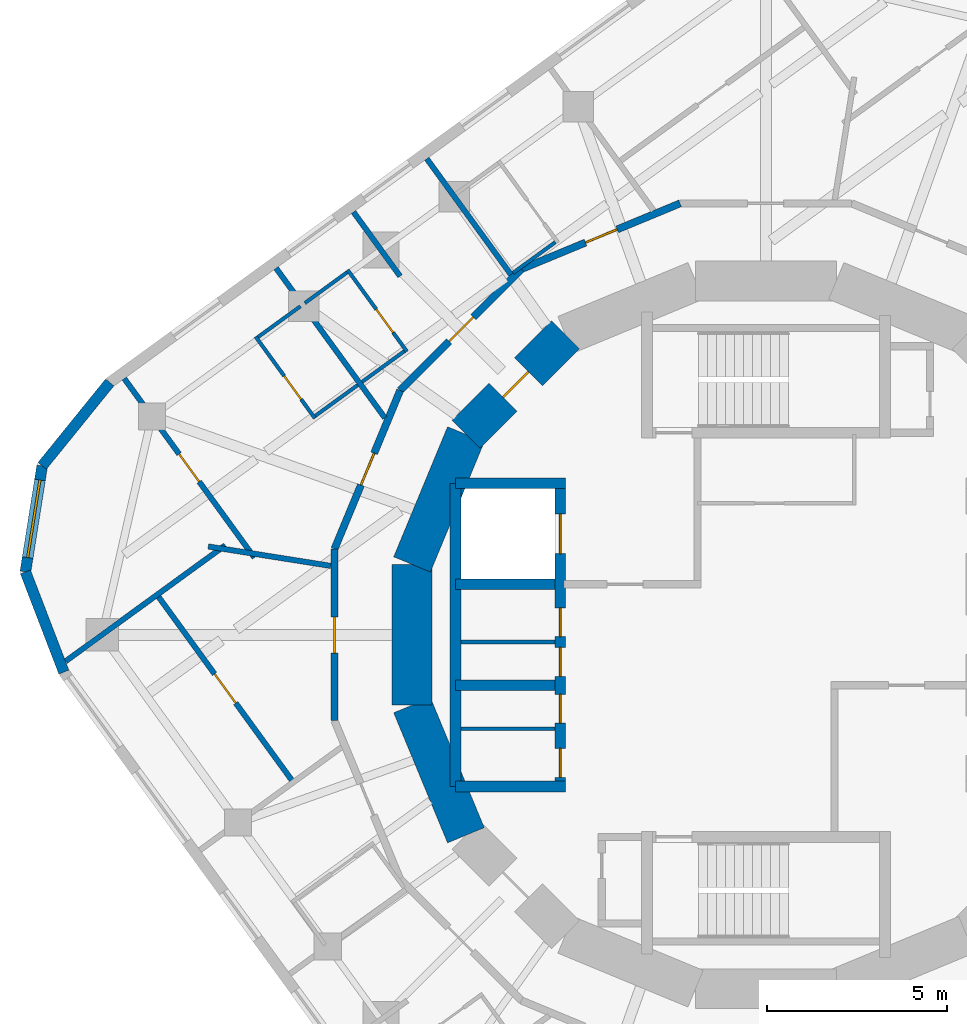
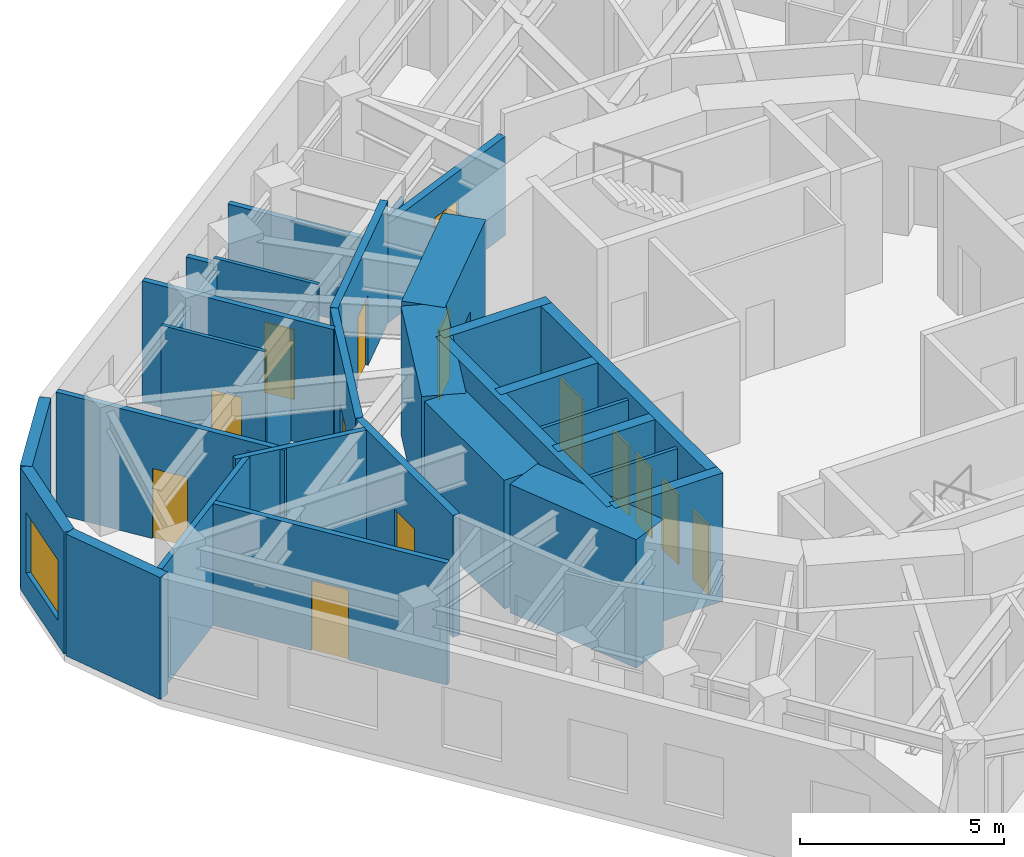
# One storey, part 5 of 9: 33 walls, 14 doors, 1 window, 15 openings.
"""IFC4 building model written with IfcOpenShell, lengths in metres."""

import ifcopenshell
import ifcopenshell.guid

model = None  # the IFC model being written
_history = None  # IfcOwnerHistory: only IFC2X3 demands one
_inside = {}  # id of a spatial element -> (the spatial element, [elements in it])
_under = {}  # id of a project, library or spatial element -> (it, [spatial elements below it])
_declared = {}  # id of a project -> (the project, [libraries it declares])
_typed = {}  # id of a type object -> (the type object, [elements of that type])
_made_of = {}  # id of a material, layer set ... -> (it, [elements and type objects made of it])


def new_model(schema):
    """Start an empty IFC model of exactly this schema.

    Asked for "IFC4X3", IfcOpenShell would pick the latest addendum, in which some entities
    have other attributes; the version numbers below select the first issue.
    IFC2X3 requires an IfcOwnerHistory on every rooted entity: one is made here for all.
    """
    global model, _history
    if schema == "IFC4X3":
        model = ifcopenshell.file(schema_version=(4, 3, 0, 0))
    else:
        model = ifcopenshell.file(schema=schema)
    _inside.clear()
    _under.clear()
    _declared.clear()
    _typed.clear()
    _made_of.clear()
    _history = None
    if model.schema == "IFC2X3":
        org = make("IfcOrganization", Name="unknown")
        user = make(
            "IfcPersonAndOrganization",
            ThePerson=make("IfcPerson", FamilyName="unknown"),
            TheOrganization=org,
        )
        app = make(
            "IfcApplication",
            ApplicationDeveloper=org,
            Version="unknown",
            ApplicationFullName="unknown",
            ApplicationIdentifier="unknown",
        )
        _history = make(
            "IfcOwnerHistory",
            OwningUser=user,
            OwningApplication=app,
            ChangeAction="ADDED",
            CreationDate=0,
        )
    return model


def make(cls, **values):
    """One entity of the class cls with the attributes given. An attribute that is None is left unset."""
    return model.create_entity(
        cls, **{name: value for name, value in values.items() if value is not None}
    )


def rooted(cls, **values):
    """An entity with a GlobalId (a new one), such as an element, a storey or a relation."""
    return make(cls, GlobalId=ifcopenshell.guid.new(), OwnerHistory=_history, **values)


def si_unit(unit_type, name, prefix=None):
    """IfcSIUnit, for example si_unit("LENGTHUNIT", "METRE", prefix="MILLI")."""
    return make("IfcSIUnit", UnitType=unit_type, Prefix=prefix, Name=name)


def assignment(units):
    """IfcUnitAssignment: the units of a project."""
    return None if units is None else make("IfcUnitAssignment", Units=units)


def point(xyz):
    """IfcCartesianPoint."""
    return None if xyz is None else make("IfcCartesianPoint", Coordinates=xyz)


def direction(xyz):
    """IfcDirection."""
    return None if xyz is None else make("IfcDirection", DirectionRatios=xyz)


def frame(location, z_axis=None, x_axis=None):
    """IfcAxis2Placement3D, a coordinate frame: its origin and axes. An axis left out is left unset."""
    return make(
        "IfcAxis2Placement3D",
        Location=point(location),
        Axis=direction(z_axis),
        RefDirection=direction(x_axis),
    )


def frame_2d(location, x_axis=None):
    """IfcAxis2Placement2D, a coordinate frame in the plane: its origin and x axis."""
    return make(
        "IfcAxis2Placement2D", Location=point(location), RefDirection=direction(x_axis)
    )


def origin():
    """The frame at (0, 0, 0) with its axes left unset."""
    return frame((0.0, 0.0, 0.0))


def place(relative_to, where):
    """IfcLocalPlacement: puts the frame where relative to a parent placement (None: the world)."""
    return make(
        "IfcLocalPlacement", PlacementRelTo=relative_to, RelativePlacement=where
    )


def context(
    kind, dimensions, precision=None, world=None, true_north=None, identifier=None
):
    """IfcGeometricRepresentationContext, for example the 3D "Model" context."""
    return make(
        "IfcGeometricRepresentationContext",
        ContextIdentifier=identifier,
        ContextType=kind,
        CoordinateSpaceDimension=dimensions,
        Precision=precision,
        WorldCoordinateSystem=world,
        TrueNorth=true_north,
    )


def subcontext(parent, identifier, kind, view, scale=None):
    """IfcGeometricRepresentationSubContext, for example "Body" below "Model"."""
    return make(
        "IfcGeometricRepresentationSubContext",
        ContextIdentifier=identifier,
        ContextType=kind,
        ParentContext=parent,
        TargetScale=scale,
        TargetView=view,
    )


def project(units=None, contexts=None):
    """IfcProject with its units and contexts."""
    return rooted(
        "IfcProject",
        Name="project",
        RepresentationContexts=contexts,
        UnitsInContext=assignment(units),
    )


def spatial(cls, under=None, at=None, **own):
    """A site, building, storey or space (cls), placed at a placement, below another one or the project."""
    s = rooted(cls, ObjectPlacement=at, **own)
    if under is not None:
        _under.setdefault(under.id(), (under, []))[1].append(s)
    return s


def profile(cls, at=None, kind="AREA", **sizes):
    """A parametric profile (cls). Its sizes go by their IFC names, for example OverallWidth=200.0."""
    return make(cls, ProfileType=kind, Position=at, **sizes)


def rectangle(**sizes):
    """IfcRectangleProfileDef."""
    return profile("IfcRectangleProfileDef", **sizes)


def extrude(swept, where, along, depth):
    """IfcExtrudedAreaSolid: the profile swept, set in the frame where, extruded along a direction by depth."""
    return make(
        "IfcExtrudedAreaSolid",
        SweptArea=swept,
        Position=where,
        ExtrudedDirection=direction(along),
        Depth=depth,
    )


def shape(context_of_items, identifier, shape_type, items):
    """IfcShapeRepresentation: the items that make up one representation, for example the "Body"."""
    return make(
        "IfcShapeRepresentation",
        ContextOfItems=context_of_items,
        RepresentationIdentifier=identifier,
        RepresentationType=shape_type,
        Items=items,
    )


def material(Name=None, Category=None):
    """IfcMaterial."""
    return make("IfcMaterial", Name=Name, Category=Category)


def layer(
    of_material, thickness, ventilated=None, Name=None, Category=None, Priority=None
):
    """IfcMaterialLayer: one layer of a wall or slab, of a material (None: an air gap)."""
    return make(
        "IfcMaterialLayer",
        Material=of_material,
        LayerThickness=thickness,
        IsVentilated=ventilated,
        Name=Name,
        Category=Category,
        Priority=Priority,
    )


def layer_set(layers, Name=None):
    """IfcMaterialLayerSet."""
    return make("IfcMaterialLayerSet", MaterialLayers=layers, LayerSetName=Name)


def made_of(thing, what):
    """Note that an element or type object is made of a material, layer set ...; save() writes the relation."""
    if what is not None:
        _made_of.setdefault(what.id(), (what, []))[1].append(thing)
    return thing


def type_object(cls, material=None, **own):
    """A type object (cls), such as IfcWallType, which elements share."""
    return made_of(rooted(cls, **own), material)


def element(
    cls,
    number,
    at=None,
    inside=None,
    cuts=None,
    type_object=None,
    material=None,
    context=None,
    identifier="Body",
    shape_type=None,
    held_by="IfcProductDefinitionShape",
    body=None,
    shapes=None,
    **own,
):
    """One element of the class cls, such as IfcWall. Its Tag is "e" and its number.

    at: its placement. inside: the storey or other place that contains it. cuts: it is an
    opening in that element (IfcRelVoidsElement). A single representation is given by context,
    identifier, shape_type and body (its items); several are given by shapes. held_by: the class
    of the entity that holds the representations. save() writes the other relations.
    """
    e = rooted(cls, Tag="e%d" % number, ObjectPlacement=at, **own)
    if body is not None:
        shapes = [shape(context, identifier, shape_type, body)]
    if shapes is not None:
        e.Representation = make(held_by, Representations=shapes)
    if inside is not None:
        _inside.setdefault(inside.id(), (inside, []))[1].append(e)
    if cuts is not None:
        rooted(
            "IfcRelVoidsElement", RelatingBuildingElement=cuts, RelatedOpeningElement=e
        )
    if type_object is not None:
        _typed.setdefault(type_object.id(), (type_object, []))[1].append(e)
    return made_of(e, material)


def fill(opening, filler):
    """IfcRelFillsElement: the door or window that sits in an opening."""
    return rooted(
        "IfcRelFillsElement",
        RelatingOpeningElement=opening,
        RelatedBuildingElement=filler,
    )


def aggregate(whole, parts):
    """IfcRelAggregates: a whole, such as a stair, and the parts it consists of."""
    return rooted("IfcRelAggregates", RelatingObject=whole, RelatedObjects=parts)


def save(model, path):
    """Write the relations noted so far, then the file.

    IfcRelAggregates (storeys below a building ...), IfcRelContainedInSpatialStructure (elements
    in a storey), IfcRelDefinesByType, IfcRelAssociatesMaterial and IfcRelDeclares: one each for
    every whole, place, type object, material and project.
    """
    for whole, parts in _under.values():
        aggregate(whole, parts)
    for where, things in _inside.values():
        rooted(
            "IfcRelContainedInSpatialStructure",
            RelatedElements=things,
            RelatingStructure=where,
        )
    for kind, things in _typed.values():
        rooted("IfcRelDefinesByType", RelatedObjects=things, RelatingType=kind)
    for what, things in _made_of.values():
        rooted("IfcRelAssociatesMaterial", RelatedObjects=things, RelatingMaterial=what)
    for by, libraries in _declared.values():
        rooted("IfcRelDeclares", RelatingContext=by, RelatedDefinitions=libraries)
    model.write(path)


model = new_model("IFC4")

# Units and contexts
model_context = context("Model", 3, precision=1e-05, world=origin(), true_north=direction((0.0, 1.0)))
body_context = subcontext(model_context, "Body", "Model", "MODEL_VIEW")
ifc_project = project(units=[si_unit("LENGTHUNIT", "METRE"), si_unit("AREAUNIT", "SQUARE_METRE"), si_unit("VOLUMEUNIT", "CUBIC_METRE"), si_unit("PLANEANGLEUNIT", "RADIAN"), si_unit("MASSUNIT", "GRAM", prefix="KILO")], contexts=[model_context])

# Site, building, storey
site_placement = place(None, origin())
site = spatial("IfcSite", under=ifc_project, at=site_placement, CompositionType="ELEMENT")
building_placement = place(site_placement, origin())
building = spatial("IfcBuilding", under=site, at=building_placement, Name="Nakasero Lantern House", CompositionType="ELEMENT")
storey_placement = place(building_placement, frame((0.0, 0.0, 294.550048828125)))
storey = spatial("IfcBuildingStorey", under=building, at=storey_placement, Name="L72", CompositionType="ELEMENT", Elevation=294.550048828125)

# Wall, openings, doors
ifc_material_1 = material(Name="Concrete C50/60", Category="concrete")
ifc_layer_1 = layer(ifc_material_1, 0.300048828125)
ifc_layer_set_1 = layer_set([ifc_layer_1], Name="Core inner wall 300")
wall_type_1 = type_object("IfcWallType", Name="Core inner wall 300", PredefinedType="SHEAR", material=ifc_layer_set_1)
wall_1_placement = place(storey_placement, frame((-5.699951171875, -4.199951171875, 0.0), z_axis=(0.0, 0.0, 1.0), x_axis=(0.0, 1.0, 0.0)))
wall_1 = element("IfcWall", 1, at=wall_1_placement, inside=storey, type_object=wall_type_1, Name="Core inner wall L72 LW", PredefinedType="SHEAR", context=body_context, shape_type="SweptSolid", body=[
    extrude(rectangle(XDim=8.39990234375, YDim=0.300048828125, at=frame_2d((4.199951171875, 0.0))), origin(), (0.0, 0.0, 1.0), 3.849853515625),
])
opening_1_placement = place(wall_1_placement, frame((0.25, 0.0, 0.0)))
opening_1 = element("IfcOpeningElement", 2, at=opening_1_placement, cuts=wall_1, Name="Opening D19", PredefinedType="OPENING", context=body_context, shape_type="SweptSolid", body=[
    extrude(rectangle(XDim=0.800048828125, YDim=2.10009765625, at=frame_2d((0.39990234375, 1.050048828125))), frame((0.0, 0.169921875, 0.0), z_axis=(0.0, -1.0, 0.0), x_axis=(1.0, 0.0, 0.0)), (0.0, 0.0, 1.0), 0.340087890625),
])
opening_2_placement = place(wall_1_placement, frame((1.75, 0.0, 0.0)))
opening_2 = element("IfcOpeningElement", 3, at=opening_2_placement, cuts=wall_1, Name="Opening D15", PredefinedType="OPENING", context=body_context, shape_type="SweptSolid", body=[
    extrude(rectangle(XDim=0.800048828125, YDim=2.10009765625, at=frame_2d((0.39990234375, 1.050048828125))), frame((0.0, 0.169921875, 0.0), z_axis=(0.0, -1.0, 0.0), x_axis=(1.0, 0.0, 0.0)), (0.0, 0.0, 1.0), 0.340087890625),
])
opening_3_placement = place(wall_1_placement, frame((3.050048828125, 0.0, 0.0)))
opening_3 = element("IfcOpeningElement", 4, at=opening_3_placement, cuts=wall_1, Name="Opening D15", PredefinedType="OPENING", context=body_context, shape_type="SweptSolid", body=[
    extrude(rectangle(XDim=0.800048828125, YDim=2.10009765625, at=frame_2d((0.39990234375, 1.050048828125))), frame((0.0, 0.169921875, 0.0), z_axis=(0.0, -1.0, 0.0), x_axis=(1.0, 0.0, 0.0)), (0.0, 0.0, 1.0), 0.340087890625),
])
opening_4_placement = place(wall_1_placement, frame((4.14990234375, 0.0, 0.0)))
opening_4 = element("IfcOpeningElement", 5, at=opening_4_placement, cuts=wall_1, Name="Opening D15", PredefinedType="OPENING", context=body_context, shape_type="SweptSolid", body=[
    extrude(rectangle(XDim=0.800048828125, YDim=2.10009765625, at=frame_2d((0.39990234375, 1.050048828125))), frame((0.0, 0.169921875, 0.0), z_axis=(0.0, -1.0, 0.0), x_axis=(1.0, 0.0, 0.0)), (0.0, 0.0, 1.0), 0.340087890625),
])
opening_5_placement = place(wall_1_placement, frame((6.449951171875, 0.0, 0.0)))
opening_5 = element("IfcOpeningElement", 6, at=opening_5_placement, cuts=wall_1, Name="Opening LD", PredefinedType="OPENING", context=body_context, shape_type="SweptSolid", body=[
    extrude(rectangle(XDim=1.10009765625, YDim=2.10009765625, at=frame_2d((0.550048828125, 1.050048828125))), frame((0.0, 0.169921875, 0.0), z_axis=(0.0, -1.0, 0.0), x_axis=(1.0, 0.0, 0.0)), (0.0, 0.0, 1.0), 0.340087890625),
])
ifc_material_2 = material(Name="Timber C24", Category="wood")
door_type_1 = type_object("IfcDoorType", Name="Cleaner's store door FD30S 800", OperationType="SINGLE_SWING_LEFT", PredefinedType="DOOR", material=ifc_material_2)
door_1_placement = place(opening_2_placement, origin())
door_1 = element("IfcDoor", 7, at=door_1_placement, inside=storey, type_object=door_type_1, Name="Door L72 D-SH-LW1b", OperationType="SINGLE_SWING_LEFT", OverallHeight=2.10009765625, OverallWidth=0.800048828125, PredefinedType="DOOR", context=body_context, shape_type="SweptSolid", body=[
    extrude(rectangle(XDim=0.800048828125, YDim=2.10009765625, at=frame_2d((0.39990234375, 1.050048828125))), frame((0.0, 0.02490234375, 0.0), z_axis=(0.0, -1.0, 0.0), x_axis=(1.0, 0.0, 0.0)), (0.0, 0.0, 1.0), 0.050048828125),
])
fill(opening_2, door_1)
door_2_placement = place(opening_3_placement, origin())
door_2 = element("IfcDoor", 8, at=door_2_placement, inside=storey, type_object=door_type_1, Name="Door L72 D-SH-LW2a", OperationType="SINGLE_SWING_LEFT", OverallHeight=2.10009765625, OverallWidth=0.800048828125, PredefinedType="DOOR", context=body_context, shape_type="SweptSolid", body=[
    extrude(rectangle(XDim=0.800048828125, YDim=2.10009765625, at=frame_2d((0.39990234375, 1.050048828125))), frame((0.0, 0.02490234375, 0.0), z_axis=(0.0, -1.0, 0.0), x_axis=(1.0, 0.0, 0.0)), (0.0, 0.0, 1.0), 0.050048828125),
])
fill(opening_3, door_2)
door_3_placement = place(opening_4_placement, origin())
door_3 = element("IfcDoor", 9, at=door_3_placement, inside=storey, type_object=door_type_1, Name="Door L72 D-SH-LW2b", OperationType="SINGLE_SWING_RIGHT", OverallHeight=2.10009765625, OverallWidth=0.800048828125, PredefinedType="DOOR", context=body_context, shape_type="SweptSolid", body=[
    extrude(rectangle(XDim=0.800048828125, YDim=2.10009765625, at=frame_2d((0.39990234375, 1.050048828125))), frame((0.0, 0.02490234375, 0.0), z_axis=(0.0, -1.0, 0.0), x_axis=(1.0, 0.0, 0.0)), (0.0, 0.0, 1.0), 0.050048828125),
])
fill(opening_4, door_3)
ifc_material_3 = material(Name="Steel S355", Category="steel")
door_type_2 = type_object("IfcDoorType", Name="Lift landing door E120 1100", OperationType="SLIDING_TO_LEFT", PredefinedType="DOOR", material=ifc_material_3)
door_4_placement = place(opening_5_placement, origin())
door_4 = element("IfcDoor", 10, at=door_4_placement, inside=storey, type_object=door_type_2, Name="Lift landing door LW3", OperationType="SLIDING_TO_LEFT", OverallHeight=2.10009765625, OverallWidth=1.10009765625, PredefinedType="DOOR", context=body_context, shape_type="SweptSolid", body=[
    extrude(rectangle(XDim=1.10009765625, YDim=2.10009765625, at=frame_2d((0.550048828125, 1.050048828125))), frame((0.0, 0.02490234375, 0.0), z_axis=(0.0, -1.0, 0.0), x_axis=(1.0, 0.0, 0.0)), (0.0, 0.0, 1.0), 0.050048828125),
])
fill(opening_5, door_4)
ifc_material_4 = material(Name="Steel S355", Category="steel")
door_type_3 = type_object("IfcDoorType", Name="Plant room door FD60 800", OperationType="SINGLE_SWING_LEFT", PredefinedType="DOOR", material=ifc_material_4)
door_5_placement = place(opening_1_placement, origin())
door_5 = element("IfcDoor", 11, at=door_5_placement, inside=storey, type_object=door_type_3, Name="Door L72 D-SH-LW1a", OperationType="SINGLE_SWING_LEFT", OverallHeight=2.10009765625, OverallWidth=0.800048828125, PredefinedType="DOOR", context=body_context, shape_type="SweptSolid", body=[
    extrude(rectangle(XDim=0.800048828125, YDim=2.10009765625, at=frame_2d((0.39990234375, 1.050048828125))), frame((0.0, 0.02490234375, 0.0), z_axis=(0.0, -1.0, 0.0), x_axis=(1.0, 0.0, 0.0)), (0.0, 0.0, 1.0), 0.050048828125),
])
fill(opening_1, door_5)

# Walls
for number, where, z_axis, x_axis, name in (
    (12, (-8.60009765625, 4.199951171875, 0.0), (0.0, 0.0, 1.0), (1.0, 0.0, 0.0), "Core inner wall L72 LWN"),
    (13, (-8.60009765625, -4.199951171875, 0.0), (0.0, 0.0, 1.0), (1.0, 0.0, 0.0), "Core inner wall L72 LWS"),
):
    element("IfcWall", number, at=place(storey_placement, frame(where, z_axis=z_axis, x_axis=x_axis)), inside=storey, type_object=wall_type_1, Name=name, PredefinedType="SHEAR", context=body_context, shape_type="SweptSolid", body=[
        extrude(rectangle(XDim=3.050048828125, YDim=0.300048828125, at=frame_2d((1.52490234375, 0.0))), origin(), (0.0, 0.0, 1.0), 3.849853515625),
    ])
wall_2_placement = place(storey_placement, frame((-8.60009765625, -4.199951171875, 0.0), z_axis=(0.0, 0.0, 1.0), x_axis=(0.0, 1.0, 0.0)))
element("IfcWall", 14, at=wall_2_placement, inside=storey, type_object=wall_type_1, Name="Core inner wall L72 LWB", PredefinedType="SHEAR", context=body_context, shape_type="SweptSolid", body=[
    extrude(rectangle(XDim=8.39990234375, YDim=0.300048828125, at=frame_2d((4.199951171875, 0.0))), origin(), (0.0, 0.0, 1.0), 3.849853515625),
])
for number, where, z_axis, x_axis, name in (
    (15, (-8.60009765625, -1.39990234375, 0.0), (0.0, 0.0, 1.0), (1.0, 0.0, 0.0), "Core inner wall L72 LW1"),
    (16, (-8.60009765625, 1.39990234375, 0.0), (0.0, 0.0, 1.0), (1.0, 0.0, 0.0), "Core inner wall L72 LW2"),
):
    element("IfcWall", number, at=place(storey_placement, frame(where, z_axis=z_axis, x_axis=x_axis)), inside=storey, type_object=wall_type_1, Name=name, PredefinedType="SHEAR", context=body_context, shape_type="SweptSolid", body=[
        extrude(rectangle(XDim=2.75, YDim=0.300048828125, at=frame_2d((1.375, 0.0))), origin(), (0.0, 0.0, 1.0), 3.849853515625),
    ])
ifc_material_5 = material(Name="Blockwork", Category="masonry")
ifc_layer_2 = layer(ifc_material_5, 0.10009765625)
ifc_layer_set_2 = layer_set([ifc_layer_2], Name="Core room wall 100")
wall_type_2 = type_object("IfcWallType", Name="Core room wall 100", PredefinedType="PARTITIONING", material=ifc_layer_set_2)
for number, where, z_axis, x_axis, name in (
    (17, (-8.449951171875, -2.60009765625, 0.0), (0.0, 0.0, 1.0), (1.0, 0.0, 0.0), "Core room wall L72 CR-SH-LW1b"),
    (18, (-8.449951171875, -0.199951171875, 0.0), (0.0, 0.0, 1.0), (1.0, 0.0, 0.0), "Core room wall L72 CR-SH-LW2b"),
):
    element("IfcWall", number, at=place(storey_placement, frame(where, z_axis=z_axis, x_axis=x_axis)), inside=storey, type_object=wall_type_2, Name=name, PredefinedType="PARTITIONING", context=body_context, shape_type="SweptSolid", body=[
        extrude(rectangle(XDim=2.599853515625, YDim=0.10009765625, at=frame_2d((1.2998046875, 0.0))), origin(), (0.0, 0.0, 1.0), 3.64990234375),
    ])

# Wall, opening, door
ifc_material_6 = material(Name="Concrete C50/60", Category="concrete")
ifc_layer_3 = layer(ifc_material_6, 1.10009765625)
ifc_layer_set_3 = layer_set([ifc_layer_3], Name="Core wall 1100")
wall_type_3 = type_object("IfcWallType", Name="Core wall 1100", PredefinedType="SHEAR", material=ifc_layer_set_3)
wall_3_placement = place(storey_placement, frame((-5.5556640625, 8.314697265625, 0.0), z_axis=(0.0, 0.0, 1.0), x_axis=(-0.707106781187, -0.707106781187, 0.0)))
wall_3 = element("IfcWall", 19, at=wall_3_placement, inside=storey, type_object=wall_type_3, Name="Core wall L72 facet 6", PredefinedType="SHEAR", context=body_context, shape_type="SweptSolid", body=[
    extrude(rectangle(XDim=3.90185546875, YDim=1.10009765625, at=frame_2d((1.950927734375, 0.0))), origin(), (0.0, 0.0, 1.0), 3.849853515625),
])
opening_6_placement = place(wall_3_placement, frame((1.450927734375, 0.0, 0.0)))
opening_6 = element("IfcOpeningElement", 20, at=opening_6_placement, cuts=wall_3, Name="Opening D05", PredefinedType="OPENING", context=body_context, shape_type="SweptSolid", body=[
    extrude(rectangle(XDim=1.0, YDim=2.10009765625, at=frame_2d((0.5, 1.050048828125))), frame((0.0, 0.570068359375, 0.0), z_axis=(0.0, -1.0, 0.0), x_axis=(1.0, 0.0, 0.0)), (0.0, 0.0, 1.0), 1.14013671875),
])
ifc_material_7 = material(Name="Timber C24", Category="wood")
door_type_4 = type_object("IfcDoorType", Name="Core door FD60S 1000", OperationType="SINGLE_SWING_LEFT", PredefinedType="DOOR", material=ifc_material_7)
door_6_placement = place(opening_6_placement, origin())
door_6 = element("IfcDoor", 21, at=door_6_placement, inside=storey, type_object=door_type_4, Name="Door L72 D-CORE06", OperationType="SINGLE_SWING_LEFT", OverallHeight=2.10009765625, OverallWidth=1.0, PredefinedType="DOOR", context=body_context, shape_type="SweptSolid", body=[
    extrude(rectangle(XDim=1.0, YDim=2.10009765625, at=frame_2d((0.5, 1.050048828125))), frame((0.0, 0.02490234375, 0.0), z_axis=(0.0, -1.0, 0.0), x_axis=(1.0, 0.0, 0.0)), (0.0, 0.0, 1.0), 0.050048828125),
])
fill(opening_6, door_6)

# Walls
for number, where, z_axis, x_axis, name in (
    (22, (-8.314697265625, 5.5556640625, 0.0), (0.0, 0.0, 1.0), (-0.382690736062, -0.923876507187, 0.0), "Core wall L72 facet 7"),
    (23, (-9.807861328125, 1.950927734375, 0.0), (0.0, 0.0, 1.0), (0.0, -1.0, 0.0), "Core wall L72 facet 8"),
    (24, (-9.807861328125, -1.950927734375, 0.0), (0.0, 0.0, 1.0), (0.382690736062, -0.923876507187, 0.0), "Core wall L72 facet 9"),
):
    element("IfcWall", number, at=place(storey_placement, frame(where, z_axis=z_axis, x_axis=x_axis)), inside=storey, type_object=wall_type_3, Name=name, PredefinedType="SHEAR", context=body_context, shape_type="SweptSolid", body=[
        extrude(rectangle(XDim=3.90185546875, YDim=1.10009765625, at=frame_2d((1.950927734375, 0.0))), origin(), (0.0, 0.0, 1.0), 3.849853515625),
    ])

# Wall, opening, door
ifc_material_8 = material(Name="Blockwork", Category="masonry")
ifc_layer_4 = layer(ifc_material_8, 0.199951171875)
ifc_layer_set_4 = layer_set([ifc_layer_4], Name="Corridor wall 200")
wall_type_4 = type_object("IfcWallType", Name="Corridor wall 200", PredefinedType="PARTITIONING", material=ifc_layer_set_4)
wall_4_placement = place(storey_placement, frame((-11.957763671875, -2.378662109375, 0.0), z_axis=(0.0, 0.0, 1.0), x_axis=(0.0, 1.0, 0.0)))
wall_4 = element("IfcWall", 25, at=wall_4_placement, inside=storey, type_object=wall_type_4, Name="Corridor wall L72 RC08a", PredefinedType="PARTITIONING", context=body_context, shape_type="SweptSolid", body=[
    extrude(rectangle(XDim=4.75732421875, YDim=0.199951171875, at=frame_2d((2.378662109375, 0.0))), origin(), (0.0, 0.0, 1.0), 3.64990234375),
])
opening_7_placement = place(wall_4_placement, frame((1.8701171875, 0.0, 0.0)))
opening_7 = element("IfcOpeningElement", 26, at=opening_7_placement, cuts=wall_4, Name="Opening D03", PredefinedType="OPENING", context=body_context, shape_type="SweptSolid", body=[
    extrude(rectangle(XDim=1.0, YDim=2.10009765625, at=frame_2d((0.5, 1.050048828125))), frame((0.0, 0.119873046875, 0.0), z_axis=(0.0, -1.0, 0.0), x_axis=(1.0, 0.0, 0.0)), (0.0, 0.0, 1.0), 0.239990234375),
])
ifc_material_9 = material(Name="Timber C24", Category="wood")
door_type_5 = type_object("IfcDoorType", Name="Lounge door FD30S 1000", OperationType="SINGLE_SWING_LEFT", PredefinedType="DOOR", material=ifc_material_9)
door_7_placement = place(opening_7_placement, origin())
door_7 = element("IfcDoor", 27, at=door_7_placement, inside=storey, type_object=door_type_5, Name="Door L72 DK2", OperationType="SINGLE_SWING_LEFT", OverallHeight=2.10009765625, OverallWidth=1.0, PredefinedType="DOOR", context=body_context, shape_type="SweptSolid", body=[
    extrude(rectangle(XDim=1.0, YDim=2.10009765625, at=frame_2d((0.5, 1.050048828125))), frame((0.0, 0.02490234375, 0.0), z_axis=(0.0, -1.0, 0.0), x_axis=(1.0, 0.0, 0.0)), (0.0, 0.0, 1.0), 0.050048828125),
])
fill(opening_7, door_7)

wall_5_placement = place(storey_placement, frame((-11.957763671875, 2.378662109375, 0.0), z_axis=(0.0, 0.0, 1.0), x_axis=(0.382653970627, 0.923891735412, 0.0)))
wall_5 = element("IfcWall", 28, at=wall_5_placement, inside=storey, type_object=wall_type_4, Name="Corridor wall L72 RC09a", PredefinedType="PARTITIONING", context=body_context, shape_type="SweptSolid", body=[
    extrude(rectangle(XDim=4.757080078125, YDim=0.199951171875, at=frame_2d((2.37841796875, 0.0))), origin(), (0.0, 0.0, 1.0), 3.64990234375),
])
opening_8_placement = place(wall_5_placement, frame((1.919921875, 0.0, 0.0)))
opening_8 = element("IfcOpeningElement", 29, at=opening_8_placement, cuts=wall_5, Name="Opening D01", PredefinedType="OPENING", context=body_context, shape_type="SweptSolid", body=[
    extrude(rectangle(XDim=0.949951171875, YDim=2.10009765625, at=frame_2d((0.47509765625, 1.050048828125))), frame((0.0, 0.119873046875, 0.0), z_axis=(0.0, -1.0, 0.0), x_axis=(1.0, 0.0, 0.0)), (0.0, 0.0, 1.0), 0.239990234375),
])
ifc_material_10 = material(Name="Timber C24", Category="wood")
door_type_6 = type_object("IfcDoorType", Name="Bedroom door FD30S 950", OperationType="SINGLE_SWING_LEFT", PredefinedType="DOOR", material=ifc_material_10)
door_8_placement = place(opening_8_placement, origin())
door_8 = element("IfcDoor", 30, at=door_8_placement, inside=storey, type_object=door_type_6, Name="Door L72 D1-06", OperationType="SINGLE_SWING_RIGHT", OverallHeight=2.10009765625, OverallWidth=0.949951171875, PredefinedType="DOOR", context=body_context, shape_type="SweptSolid", body=[
    extrude(rectangle(XDim=0.949951171875, YDim=2.10009765625, at=frame_2d((0.47509765625, 1.050048828125))), frame((0.0, 0.02490234375, 0.0), z_axis=(0.0, -1.0, 0.0), x_axis=(1.0, 0.0, 0.0)), (0.0, 0.0, 1.0), 0.050048828125),
])
fill(opening_8, door_8)

wall_6_placement = place(storey_placement, frame((-10.137451171875, 6.773681640625, 0.0), z_axis=(0.0, 0.0, 1.0), x_axis=(0.707106781187, 0.707106781187, 0.0)))
wall_6 = element("IfcWall", 31, at=wall_6_placement, inside=storey, type_object=wall_type_4, Name="Corridor wall L72 RC10a", PredefinedType="PARTITIONING", context=body_context, shape_type="SweptSolid", body=[
    extrude(rectangle(XDim=4.757080078125, YDim=0.199951171875, at=frame_2d((2.37841796875, 0.0))), origin(), (0.0, 0.0, 1.0), 3.64990234375),
])
opening_9_placement = place(wall_6_placement, frame((1.919921875, 0.0, 0.0)))
opening_9 = element("IfcOpeningElement", 32, at=opening_9_placement, cuts=wall_6, Name="Opening D01", PredefinedType="OPENING", context=body_context, shape_type="SweptSolid", body=[
    extrude(rectangle(XDim=0.949951171875, YDim=2.10009765625, at=frame_2d((0.47509765625, 1.050048828125))), frame((0.0, 0.119873046875, 0.0), z_axis=(0.0, -1.0, 0.0), x_axis=(1.0, 0.0, 0.0)), (0.0, 0.0, 1.0), 0.239990234375),
])
door_9_placement = place(opening_9_placement, origin())
door_9 = element("IfcDoor", 33, at=door_9_placement, inside=storey, type_object=door_type_6, Name="Door L72 D1-04", OperationType="SINGLE_SWING_RIGHT", OverallHeight=2.10009765625, OverallWidth=0.949951171875, PredefinedType="DOOR", context=body_context, shape_type="SweptSolid", body=[
    extrude(rectangle(XDim=0.949951171875, YDim=2.10009765625, at=frame_2d((0.47509765625, 1.050048828125))), frame((0.0, 0.02490234375, 0.0), z_axis=(0.0, -1.0, 0.0), x_axis=(1.0, 0.0, 0.0)), (0.0, 0.0, 1.0), 0.050048828125),
])
fill(opening_9, door_9)

wall_7_placement = place(storey_placement, frame((-6.773681640625, 10.137451171875, 0.0), z_axis=(0.0, 0.0, 1.0), x_axis=(0.923891735412, 0.382653970627, 0.0)))
wall_7 = element("IfcWall", 34, at=wall_7_placement, inside=storey, type_object=wall_type_4, Name="Corridor wall L72 RC11a", PredefinedType="PARTITIONING", context=body_context, shape_type="SweptSolid", body=[
    extrude(rectangle(XDim=4.757080078125, YDim=0.199951171875, at=frame_2d((2.37841796875, 0.0))), origin(), (0.0, 0.0, 1.0), 2.966552734375),
])
opening_10_placement = place(wall_7_placement, frame((1.919921875, 0.0, 0.0)))
opening_10 = element("IfcOpeningElement", 35, at=opening_10_placement, cuts=wall_7, Name="Opening D01", PredefinedType="OPENING", context=body_context, shape_type="SweptSolid", body=[
    extrude(rectangle(XDim=0.949951171875, YDim=2.10009765625, at=frame_2d((0.47509765625, 1.050048828125))), frame((0.0, 0.119873046875, 0.0), z_axis=(0.0, -1.0, 0.0), x_axis=(1.0, 0.0, 0.0)), (0.0, 0.0, 1.0), 0.239990234375),
])
door_10_placement = place(opening_10_placement, origin())
door_10 = element("IfcDoor", 36, at=door_10_placement, inside=storey, type_object=door_type_6, Name="Door L72 D1-03", OperationType="SINGLE_SWING_RIGHT", OverallHeight=2.10009765625, OverallWidth=0.949951171875, PredefinedType="DOOR", context=body_context, shape_type="SweptSolid", body=[
    extrude(rectangle(XDim=0.949951171875, YDim=2.10009765625, at=frame_2d((0.47509765625, 1.050048828125))), frame((0.0, 0.02490234375, 0.0), z_axis=(0.0, -1.0, 0.0), x_axis=(1.0, 0.0, 0.0)), (0.0, 0.0, 1.0), 0.050048828125),
])
fill(opening_10, door_10)

# Wall
ifc_material_11 = material(Name="Blockwork", Category="masonry")
ifc_layer_5 = layer(ifc_material_11, 0.10009765625)
ifc_layer_set_5 = layer_set([ifc_layer_5], Name="En-suite wall 100")
wall_type_5 = type_object("IfcWallType", Name="En-suite wall 100", PredefinedType="PARTITIONING", material=ifc_layer_set_5)
wall_8_placement = place(storey_placement, frame((-5.8349609375, 10.883544921875, 0.0), z_axis=(0.0, 0.0, 1.0), x_axis=(-0.809019944521, -0.587781191743, 0.0)))
element("IfcWall", 37, at=wall_8_placement, inside=storey, type_object=wall_type_5, Name="En-suite wall L72 EI1-03", PredefinedType="PARTITIONING", context=body_context, shape_type="SweptSolid", body=[
    extrude(rectangle(XDim=1.449951171875, YDim=0.10009765625, at=frame_2d((0.72509765625, 0.0))), origin(), (0.0, 0.0, 1.0), 2.966552734375),
])

# Wall, opening, door
wall_9_placement = place(storey_placement, frame((-9.949462890625, 7.851318359375, 0.0), z_axis=(0.0, 0.0, 1.0), x_axis=(-0.587793152327, 0.809011254605, 0.0)))
wall_9 = element("IfcWall", 38, at=wall_9_placement, inside=storey, type_object=wall_type_5, Name="En-suite wall L72 ES1-04", PredefinedType="PARTITIONING", context=body_context, shape_type="SweptSolid", body=[
    extrude(rectangle(XDim=2.7998046875, YDim=0.10009765625, at=frame_2d((1.39990234375, 0.0))), origin(), (0.0, 0.0, 1.0), 3.64990234375),
])
opening_11_placement = place(wall_9_placement, frame((0.64990234375, 0.0, 0.0)))
opening_11 = element("IfcOpeningElement", 39, at=opening_11_placement, cuts=wall_9, Name="Opening D02", PredefinedType="OPENING", context=body_context, shape_type="SweptSolid", body=[
    extrude(rectangle(XDim=0.800048828125, YDim=2.10009765625, at=frame_2d((0.39990234375, 1.050048828125))), frame((0.0, 0.070068359375, 0.0), z_axis=(0.0, -1.0, 0.0), x_axis=(1.0, 0.0, 0.0)), (0.0, 0.0, 1.0), 0.14013671875),
])
ifc_material_12 = material(Name="Timber C24", Category="wood")
door_type_7 = type_object("IfcDoorType", Name="En-suite door 800", OperationType="SINGLE_SWING_RIGHT", PredefinedType="DOOR", material=ifc_material_12)
door_11_placement = place(opening_11_placement, origin())
door_11 = element("IfcDoor", 40, at=door_11_placement, inside=storey, type_object=door_type_7, Name="Door L72 DE1-04", OperationType="SINGLE_SWING_LEFT", OverallHeight=2.10009765625, OverallWidth=0.800048828125, PredefinedType="DOOR", context=body_context, shape_type="SweptSolid", body=[
    extrude(rectangle(XDim=0.800048828125, YDim=2.10009765625, at=frame_2d((0.39990234375, 1.050048828125))), frame((0.0, 0.02490234375, 0.0), z_axis=(0.0, -1.0, 0.0), x_axis=(1.0, 0.0, 0.0)), (0.0, 0.0, 1.0), 0.050048828125),
])
fill(opening_11, door_11)

# Walls
wall_10_placement = place(storey_placement, frame((-11.6064453125, 10.046630859375, 0.0), z_axis=(0.0, 0.0, 1.0), x_axis=(-0.809019944521, -0.587781191743, 0.0)))
element("IfcWall", 41, at=wall_10_placement, inside=storey, type_object=wall_type_5, Name="En-suite wall L72 EE1-04", PredefinedType="PARTITIONING", context=body_context, shape_type="SweptSolid", body=[
    extrude(rectangle(XDim=1.449951171875, YDim=0.10009765625, at=frame_2d((0.72509765625, 0.0))), origin(), (0.0, 0.0, 1.0), 3.294921875),
])
wall_11_placement = place(storey_placement, frame((-10.019287109375, 7.8623046875, 0.0), z_axis=(0.0, 0.0, 1.0), x_axis=(-0.809019944521, -0.587781191743, 0.0)))
element("IfcWall", 42, at=wall_11_placement, inside=storey, type_object=wall_type_5, Name="En-suite wall L72 EI1-04", PredefinedType="PARTITIONING", context=body_context, shape_type="SweptSolid", body=[
    extrude(rectangle(XDim=1.449951171875, YDim=0.10009765625, at=frame_2d((0.72509765625, 0.0))), origin(), (0.0, 0.0, 1.0), 2.966552734375),
])

# Wall, opening, door
wall_12_placement = place(storey_placement, frame((-12.498046875, 5.999755859375, 0.0), z_axis=(0.0, 0.0, 1.0), x_axis=(-0.587793152327, 0.809011254605, 0.0)))
wall_12 = element("IfcWall", 43, at=wall_12_placement, inside=storey, type_object=wall_type_5, Name="En-suite wall L72 ES1-06", PredefinedType="PARTITIONING", context=body_context, shape_type="SweptSolid", body=[
    extrude(rectangle(XDim=2.7998046875, YDim=0.10009765625, at=frame_2d((1.39990234375, 0.0))), origin(), (0.0, 0.0, 1.0), 3.64990234375),
])
opening_12_placement = place(wall_12_placement, frame((0.64990234375, 0.0, 0.0)))
opening_12 = element("IfcOpeningElement", 44, at=opening_12_placement, cuts=wall_12, Name="Opening D02", PredefinedType="OPENING", context=body_context, shape_type="SweptSolid", body=[
    extrude(rectangle(XDim=0.800048828125, YDim=2.10009765625, at=frame_2d((0.39990234375, 1.050048828125))), frame((0.0, 0.070068359375, 0.0), z_axis=(0.0, -1.0, 0.0), x_axis=(1.0, 0.0, 0.0)), (0.0, 0.0, 1.0), 0.14013671875),
])
door_12_placement = place(opening_12_placement, origin())
door_12 = element("IfcDoor", 45, at=door_12_placement, inside=storey, type_object=door_type_7, Name="Door L72 DE1-06", OperationType="SINGLE_SWING_LEFT", OverallHeight=2.10009765625, OverallWidth=0.800048828125, PredefinedType="DOOR", context=body_context, shape_type="SweptSolid", body=[
    extrude(rectangle(XDim=0.800048828125, YDim=2.10009765625, at=frame_2d((0.39990234375, 1.050048828125))), frame((0.0, 0.02490234375, 0.0), z_axis=(0.0, -1.0, 0.0), x_axis=(1.0, 0.0, 0.0)), (0.0, 0.0, 1.0), 0.050048828125),
])
fill(opening_12, door_12)

# Walls
wall_13_placement = place(storey_placement, frame((-12.90087890625, 9.106201171875, 0.0), z_axis=(0.0, 0.0, 1.0), x_axis=(-0.809019944521, -0.587781191743, 0.0)))
element("IfcWall", 46, at=wall_13_placement, inside=storey, type_object=wall_type_5, Name="En-suite wall L72 EE1-06", PredefinedType="PARTITIONING", context=body_context, shape_type="SweptSolid", body=[
    extrude(rectangle(XDim=1.449951171875, YDim=0.10009765625, at=frame_2d((0.72509765625, 0.0))), origin(), (0.0, 0.0, 1.0), 3.24365234375),
])
wall_14_placement = place(storey_placement, frame((-11.313720703125, 6.921875, 0.0), z_axis=(0.0, 0.0, 1.0), x_axis=(-0.809019944521, -0.587781191743, 0.0)))
element("IfcWall", 47, at=wall_14_placement, inside=storey, type_object=wall_type_5, Name="En-suite wall L72 EI1-06", PredefinedType="PARTITIONING", context=body_context, shape_type="SweptSolid", body=[
    extrude(rectangle(XDim=1.449951171875, YDim=0.10009765625, at=frame_2d((0.72509765625, 0.0))), origin(), (0.0, 0.0, 1.0), 2.966552734375),
])
ifc_material_13 = material(Name="Aluminium rainscreen on blockwork", Category="masonry")
ifc_layer_6 = layer(ifc_material_13, 0.300048828125)
ifc_layer_set_6 = layer_set([ifc_layer_6], Name="Facade wall 300")
wall_type_6 = type_object("IfcWallType", Name="Facade wall 300", PredefinedType="SOLIDWALL", material=ifc_layer_set_6)
wall_15_placement = place(storey_placement, frame((-18.185791015625, 6.996826171875, 0.0), z_axis=(0.0, 0.0, 1.0), x_axis=(-0.629375183362, -0.777101588319, 0.0)))
element("IfcWall", 48, at=wall_15_placement, inside=storey, type_object=wall_type_6, Name="Facade wall L72 FW1C1", PredefinedType="SOLIDWALL", context=body_context, shape_type="SweptSolid", body=[
    extrude(rectangle(XDim=2.976318359375, YDim=0.300048828125, at=frame_2d((1.48828125, 0.0))), origin(), (0.0, 0.0, 1.0), 3.64990234375),
])

# Wall, opening, window
wall_16_placement = place(storey_placement, frame((-20.05908203125, 4.683837890625, 0.0), z_axis=(0.0, 0.0, 1.0), x_axis=(-0.156413227021, -0.987691704133, 0.0)))
wall_16 = element("IfcWall", 49, at=wall_16_placement, inside=storey, type_object=wall_type_6, Name="Facade wall L72 FW1C2", PredefinedType="SOLIDWALL", context=body_context, shape_type="SweptSolid", body=[
    extrude(rectangle(XDim=2.9765625, YDim=0.300048828125, at=frame_2d((1.48828125, 0.0))), origin(), (0.0, 0.0, 1.0), 3.64990234375),
])
opening_13_placement = place(wall_16_placement, frame((0.39990234375, 0.0, 0.75)))
opening_13 = element("IfcOpeningElement", 50, at=opening_13_placement, cuts=wall_16, Name="Opening W221", PredefinedType="OPENING", context=body_context, shape_type="SweptSolid", body=[
    extrude(rectangle(XDim=2.176025390625, YDim=1.800048828125, at=frame_2d((1.087890625, 0.89990234375))), frame((0.0, 0.169921875, 0.0), z_axis=(0.0, -1.0, 0.0), x_axis=(1.0, 0.0, 0.0)), (0.0, 0.0, 1.0), 0.340087890625),
])
ifc_material_14 = material(Name="Aluminium 6063-T6 and glass", Category="aluminium")
window_type = type_object("IfcWindowType", Name="Corner window 2176x1800", PartitioningType="SINGLE_PANEL", PredefinedType="WINDOW", material=ifc_material_14)
window_placement = place(opening_13_placement, origin())
window = element("IfcWindow", 51, at=window_placement, inside=storey, type_object=window_type, Name="Window L72 WC1", OverallHeight=1.800048828125, OverallWidth=2.176025390625, PartitioningType="SINGLE_PANEL", PredefinedType="WINDOW", context=body_context, shape_type="SweptSolid", body=[
    extrude(rectangle(XDim=2.176025390625, YDim=1.800048828125, at=frame_2d((1.087890625, 0.89990234375))), frame((0.0, 0.030029296875, 0.0), z_axis=(0.0, -1.0, 0.0), x_axis=(1.0, 0.0, 0.0)), (0.0, 0.0, 1.0), 0.06005859375),
])
fill(opening_13, window)

# Walls
wall_17_placement = place(storey_placement, frame((-20.524658203125, 1.743896484375, 0.0), z_axis=(0.0, 0.0, 1.0), x_axis=(0.35838535244, -0.933573745966, 0.0)))
element("IfcWall", 52, at=wall_17_placement, inside=storey, type_object=wall_type_6, Name="Facade wall L72 FW1C3", PredefinedType="SOLIDWALL", context=body_context, shape_type="SweptSolid", body=[
    extrude(rectangle(XDim=2.976318359375, YDim=0.300048828125, at=frame_2d((1.48828125, 0.0))), origin(), (0.0, 0.0, 1.0), 3.64990234375),
])
ifc_material_15 = material(Name="Blockwork", Category="masonry")
ifc_layer_7 = layer(ifc_material_15, 0.14990234375)
ifc_layer_set_7 = layer_set([ifc_layer_7], Name="Party wall 150")
wall_type_7 = type_object("IfcWallType", Name="Party wall 150", PredefinedType="PARTITIONING", material=ifc_layer_set_7)
wall_18_placement = place(storey_placement, frame((-10.13818359375, 9.939208984375, 0.0), z_axis=(0.0, 0.0, 1.0), x_axis=(-0.587821928992, 0.808990345923, 0.0)))
element("IfcWall", 53, at=wall_18_placement, inside=storey, type_object=wall_type_7, Name="Party wall L72 PN1-05", PredefinedType="PARTITIONING", context=body_context, shape_type="SweptSolid", body=[
    extrude(rectangle(XDim=2.199951171875, YDim=0.14990234375, at=frame_2d((1.10009765625, 0.0))), origin(), (0.0, 0.0, 1.0), 2.669921875),
])
wall_19_placement = place(storey_placement, frame((-7.067138671875, 9.985107421875, 0.0), z_axis=(0.0, 0.0, 1.0), x_axis=(-0.587802119896, 0.809004739075, 0.0)))
element("IfcWall", 54, at=wall_19_placement, inside=storey, type_object=wall_type_7, Name="Party wall L72 PW1-04", PredefinedType="PARTITIONING", context=body_context, shape_type="SweptSolid", body=[
    extrude(rectangle(XDim=3.9677734375, YDim=0.14990234375, at=frame_2d((1.98388671875, 0.0))), origin(), (0.0, 0.0, 1.0), 2.650146484375),
])
wall_20_placement = place(storey_placement, frame((-10.560791015625, 6.012939453125, 0.0), z_axis=(0.0, 0.0, 1.0), x_axis=(-0.587780977736, 0.809020100005, 0.0)))
element("IfcWall", 55, at=wall_20_placement, inside=storey, type_object=wall_type_7, Name="Party wall L72 PW1-06", PredefinedType="PARTITIONING", context=body_context, shape_type="SweptSolid", body=[
    extrude(rectangle(XDim=5.1279296875, YDim=0.14990234375, at=frame_2d((2.56396484375, 0.0))), origin(), (0.0, 0.0, 1.0), 3.64990234375),
])

# Wall, opening, door
wall_21_placement = place(storey_placement, frame((-14.1767578125, 2.137939453125, 0.0), z_axis=(0.0, 0.0, 1.0), x_axis=(-0.587774266883, 0.809024975628, 0.0)))
wall_21 = element("IfcWall", 56, at=wall_21_placement, inside=storey, type_object=wall_type_7, Name="Party wall L72 PW1-07", PredefinedType="PARTITIONING", context=body_context, shape_type="SweptSolid", body=[
    extrude(rectangle(XDim=6.137451171875, YDim=0.14990234375, at=frame_2d((3.06884765625, 0.0))), origin(), (0.0, 0.0, 1.0), 3.64990234375),
])
opening_14_placement = place(wall_21_placement, frame((2.60009765625, 0.0, 0.0)))
opening_14 = element("IfcOpeningElement", 57, at=opening_14_placement, cuts=wall_21, Name="Opening D01", PredefinedType="OPENING", context=body_context, shape_type="SweptSolid", body=[
    extrude(rectangle(XDim=0.949951171875, YDim=2.10009765625, at=frame_2d((0.47509765625, 1.050048828125))), frame((0.0, 0.094970703125, 0.0), z_axis=(0.0, -1.0, 0.0), x_axis=(1.0, 0.0, 0.0)), (0.0, 0.0, 1.0), 0.18994140625),
])
door_13_placement = place(opening_14_placement, origin())
door_13 = element("IfcDoor", 58, at=door_13_placement, inside=storey, type_object=door_type_6, Name="Door L72 DC1", OperationType="SINGLE_SWING_RIGHT", OverallHeight=2.10009765625, OverallWidth=0.949951171875, PredefinedType="DOOR", context=body_context, shape_type="SweptSolid", body=[
    extrude(rectangle(XDim=0.949951171875, YDim=2.10009765625, at=frame_2d((0.47509765625, 1.050048828125))), frame((0.0, 0.02490234375, 0.0), z_axis=(0.0, -1.0, 0.0), x_axis=(1.0, 0.0, 0.0)), (0.0, 0.0, 1.0), 0.050048828125),
])
fill(opening_14, door_13)

# Walls
wall_22_placement = place(storey_placement, frame((-12.057861328125, 1.90966796875, 0.0), z_axis=(0.0, 0.0, 1.0), x_axis=(-0.987683439553, 0.156465405864, 0.0)))
element("IfcWall", 59, at=wall_22_placement, inside=storey, type_object=wall_type_7, Name="Party wall L72 PD1", PredefinedType="PARTITIONING", context=body_context, shape_type="SweptSolid", body=[
    extrude(rectangle(XDim=3.440673828125, YDim=0.14990234375, at=frame_2d((1.72021484375, 0.0))), origin(), (0.0, 0.0, 1.0), 3.64990234375),
])
wall_23_placement = place(storey_placement, frame((-14.9853515625, 2.48095703125, 0.0), z_axis=(0.0, 0.0, 1.0), x_axis=(-0.809023745549, -0.587775959987, 0.0)))
element("IfcWall", 60, at=wall_23_placement, inside=storey, type_object=wall_type_7, Name="Party wall L72 PW2-01", PredefinedType="PARTITIONING", context=body_context, shape_type="SweptSolid", body=[
    extrude(rectangle(XDim=5.466552734375, YDim=0.14990234375, at=frame_2d((2.7333984375, 0.0))), origin(), (0.0, 0.0, 1.0), 3.64990234375),
])

# Wall, opening, door
wall_24_placement = place(storey_placement, frame((-16.8359375, 1.055908203125, 0.0), z_axis=(0.0, 0.0, 1.0), x_axis=(0.587781741398, -0.809019545177, 0.0)))
wall_24 = element("IfcWall", 61, at=wall_24_placement, inside=storey, type_object=wall_type_7, Name="Party wall L72 KQ2", PredefinedType="PARTITIONING", context=body_context, shape_type="SweptSolid", body=[
    extrude(rectangle(XDim=6.292236328125, YDim=0.14990234375, at=frame_2d((3.14599609375, 0.0))), origin(), (0.0, 0.0, 1.0), 3.64990234375),
])
opening_15_placement = place(wall_24_placement, frame((2.646240234375, 0.0, 0.0)))
opening_15 = element("IfcOpeningElement", 62, at=opening_15_placement, cuts=wall_24, Name="Opening D03", PredefinedType="OPENING", context=body_context, shape_type="SweptSolid", body=[
    extrude(rectangle(XDim=1.0, YDim=2.10009765625, at=frame_2d((0.5, 1.050048828125))), frame((0.0, 0.094970703125, 0.0), z_axis=(0.0, -1.0, 0.0), x_axis=(1.0, 0.0, 0.0)), (0.0, 0.0, 1.0), 0.18994140625),
])
door_14_placement = place(opening_15_placement, origin())
door_14 = element("IfcDoor", 63, at=door_14_placement, inside=storey, type_object=door_type_5, Name="Door L72 DKQ2", OperationType="SINGLE_SWING_LEFT", OverallHeight=2.10009765625, OverallWidth=1.0, PredefinedType="DOOR", context=body_context, shape_type="SweptSolid", body=[
    extrude(rectangle(XDim=1.0, YDim=2.10009765625, at=frame_2d((0.5, 1.050048828125))), frame((0.0, 0.02490234375, 0.0), z_axis=(0.0, -1.0, 0.0), x_axis=(1.0, 0.0, 0.0)), (0.0, 0.0, 1.0), 0.050048828125),
])
fill(opening_15, door_14)

save(model, "model.ifc")
